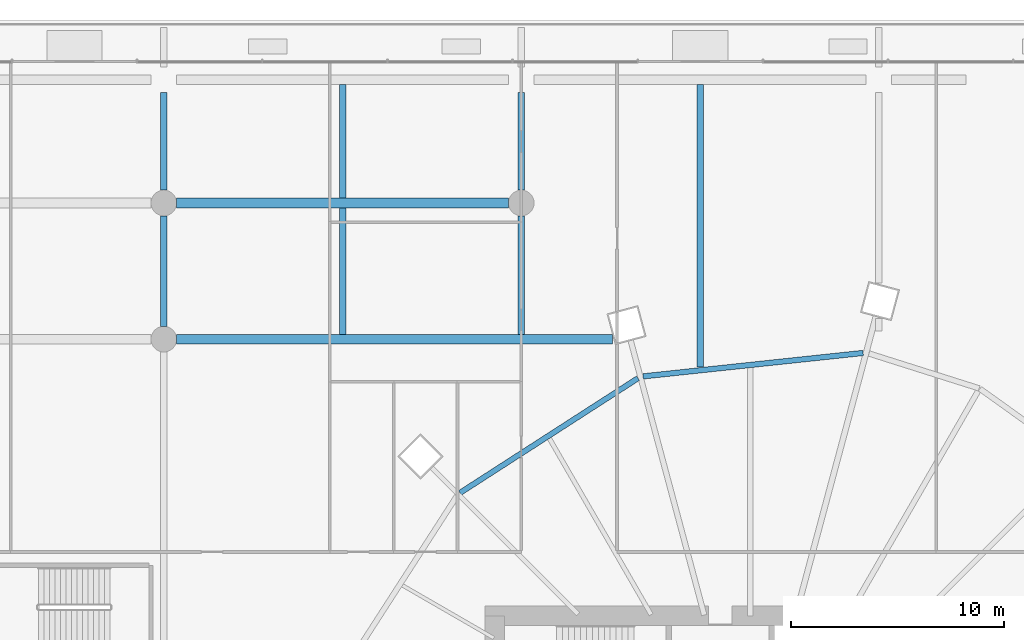
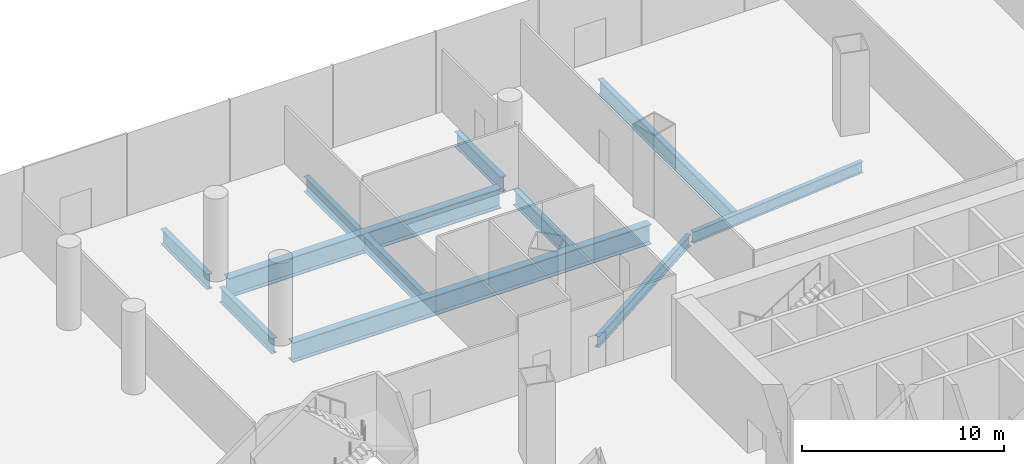
# One storey, part 26 of 51: 11 beams.
"""IFC4 building model written with IfcOpenShell, lengths in metres."""

from ifc_helpers import new_model, si_unit, direction, frame, origin, origin_2d, place, context, subcontext, project, spatial, i_section, extrude, material, material_profile, profile_set, type_object, element, save


model = new_model("IFC4")

# Units and contexts
model_context = context("Model", 3, precision=1e-05, world=origin(), true_north=direction((0.0, 1.0)))
body_context = subcontext(model_context, "Body", "Model", "MODEL_VIEW")
ifc_project = project(units=[si_unit("LENGTHUNIT", "METRE"), si_unit("AREAUNIT", "SQUARE_METRE"), si_unit("VOLUMEUNIT", "CUBIC_METRE"), si_unit("PLANEANGLEUNIT", "RADIAN"), si_unit("MASSUNIT", "GRAM", prefix="KILO")], contexts=[model_context])

# Site, building, storey
site_placement = place(None, origin())
site = spatial("IfcSite", under=ifc_project, at=site_placement, CompositionType="ELEMENT")
building_placement = place(site_placement, origin())
building = spatial("IfcBuilding", under=site, at=building_placement, Name="Rimbun Link Towers", CompositionType="ELEMENT")
storey_placement = place(building_placement, frame((0.0, 0.0, 7.0)))
storey = spatial("IfcBuildingStorey", under=building, at=storey_placement, Name="L01", CompositionType="ELEMENT", Elevation=7.0)

# Beams
ifc_material_1 = material(Name="Steel S355J2", Category="steel")
ifc_material_profile_1 = material_profile(ifc_material_1, i_section(OverallWidth=0.449951171875, OverallDepth=1.199951171875, WebThickness=0.030029296875, FlangeThickness=0.044921875, at=origin_2d()), Name="PG 1200x450x30/45")
ifc_profile_set_1 = profile_set([ifc_material_profile_1], Name="Steel S355J2")
beam_type_1 = type_object("IfcBeamType", Name="PG 1200x450x30/45", PredefinedType="BEAM", material=ifc_profile_set_1)
beam_1_placement = place(storey_placement, frame((4.800048828125, 21.0, -0.89990234375), z_axis=(1.0, 0.0, 0.0), x_axis=(0.0, 1.0, 0.0)))
element("IfcBeam", 1, at=beam_1_placement, inside=storey, type_object=beam_type_1, Name="Grid beam L01 +21.0", PredefinedType="BEAM", context=body_context, shape_type="SweptSolid", body=[
    extrude(i_section(OverallWidth=0.449951171875, OverallDepth=1.199951171875, WebThickness=0.030029296875, FlangeThickness=0.044921875, at=origin_2d()), origin(), (0.0, 0.0, 1.0), 20.47998046875),
])
beam_2_placement = place(storey_placement, frame((4.800048828125, 27.39990234375, -0.89990234375), z_axis=(1.0, 0.0, 0.0), x_axis=(0.0, 1.0, 0.0)))
element("IfcBeam", 2, at=beam_2_placement, inside=storey, type_object=beam_type_1, Name="Grid beam L01 +27.4", PredefinedType="BEAM", context=body_context, shape_type="SweptSolid", body=[
    extrude(i_section(OverallWidth=0.449951171875, OverallDepth=1.199951171875, WebThickness=0.030029296875, FlangeThickness=0.044921875, at=origin_2d()), origin(), (0.0, 0.0, 1.0), 15.599853515625),
])
ifc_material_2 = material(Name="Steel S355J2", Category="steel")
ifc_material_profile_2 = material_profile(ifc_material_2, i_section(OverallWidth=0.253662109375, OverallDepth=0.68359375, WebThickness=0.012451171875, FlangeThickness=0.01904296875, at=origin_2d()), Name="UB 686x254x140")
ifc_profile_set_2 = profile_set([ifc_material_profile_2], Name="Steel S355J2")
beam_type_2 = type_object("IfcBeamType", Name="UB 686x254x140", PredefinedType="BEAM", material=ifc_profile_set_2)
beam_3_placement = place(storey_placement, frame((37.064697265625, 20.353271484375, -0.641845703125), z_axis=(-0.994376453373, -0.105903111275, 0.0), x_axis=(0.105903111275, -0.994376453373, 0.0)))
element("IfcBeam", 3, at=beam_3_placement, inside=storey, type_object=beam_type_2, Name="Edge beam T2 L01 02-04", PredefinedType="BEAM", context=body_context, shape_type="SweptSolid", body=[
    extrude(i_section(OverallWidth=0.253662109375, OverallDepth=0.68359375, WebThickness=0.012451171875, FlangeThickness=0.01904296875, at=origin_2d()), origin(), (0.0, 0.0, 1.0), 10.3994140625),
])
beam_4_placement = place(storey_placement, frame((26.482421875, 19.16552734375, -0.641845703125), z_axis=(-0.840626167656, -0.541615773636, 0.0), x_axis=(0.541615773636, -0.840626167656, 0.0)))
element("IfcBeam", 4, at=beam_4_placement, inside=storey, type_object=beam_type_2, Name="Edge beam T2 L01 04-06", PredefinedType="BEAM", context=body_context, shape_type="SweptSolid", body=[
    extrude(i_section(OverallWidth=0.253662109375, OverallDepth=0.68359375, WebThickness=0.012451171875, FlangeThickness=0.01904296875, at=origin_2d()), origin(), (0.0, 0.0, 1.0), 9.946533203125),
])
ifc_material_3 = material(Name="Steel S355J2", Category="steel")
ifc_material_profile_3 = material_profile(ifc_material_3, i_section(OverallWidth=0.305419921875, OverallDepth=0.91845703125, WebThickness=0.017333984375, FlangeThickness=0.02783203125, at=origin_2d()), Name="UB 914x305x253")
ifc_profile_set_3 = profile_set([ifc_material_profile_3], Name="Steel S355J2")
beam_type_3 = type_object("IfcBeamType", Name="UB 914x305x253", PredefinedType="BEAM", material=ifc_profile_set_3)
beam_5_placement = place(storey_placement, frame((4.199951171875, 21.60009765625, -0.75927734375), z_axis=(0.0, 1.0, 0.0), x_axis=(-1.0, 0.0, 0.0)))
element("IfcBeam", 5, at=beam_5_placement, inside=storey, type_object=beam_type_3, Name="Grid beam L01 +4.2", PredefinedType="BEAM", context=body_context, shape_type="SweptSolid", body=[
    extrude(i_section(OverallWidth=0.305419921875, OverallDepth=0.91845703125, WebThickness=0.017333984375, FlangeThickness=0.02783203125, at=origin_2d()), origin(), (0.0, 0.0, 1.0), 5.199951171875),
])
beam_6_placement = place(storey_placement, frame((4.199951171875, 28.0, -0.75927734375), z_axis=(0.0, 1.0, 0.0), x_axis=(-1.0, 0.0, 0.0)))
element("IfcBeam", 6, at=beam_6_placement, inside=storey, type_object=beam_type_3, Name="Grid beam L01 +4.2", PredefinedType="BEAM", context=body_context, shape_type="SweptSolid", body=[
    extrude(i_section(OverallWidth=0.305419921875, OverallDepth=0.91845703125, WebThickness=0.017333984375, FlangeThickness=0.02783203125, at=origin_2d()), origin(), (0.0, 0.0, 1.0), 4.60009765625),
])
beam_7_placement = place(storey_placement, frame((12.60009765625, 21.22509765625, -0.75927734375), z_axis=(0.0, 1.0, 0.0), x_axis=(-1.0, 0.0, 0.0)))
element("IfcBeam", 7, at=beam_7_placement, inside=storey, type_object=beam_type_3, Name="Grid beam L01 +12.6", PredefinedType="BEAM", context=body_context, shape_type="SweptSolid", body=[
    extrude(i_section(OverallWidth=0.305419921875, OverallDepth=0.91845703125, WebThickness=0.017333984375, FlangeThickness=0.02783203125, at=origin_2d()), origin(), (0.0, 0.0, 1.0), 5.949951171875),
])
beam_8_placement = place(storey_placement, frame((12.60009765625, 27.625, -0.75927734375), z_axis=(0.0, 1.0, 0.0), x_axis=(-1.0, 0.0, 0.0)))
element("IfcBeam", 8, at=beam_8_placement, inside=storey, type_object=beam_type_3, Name="Grid beam L01 +12.6", PredefinedType="BEAM", context=body_context, shape_type="SweptSolid", body=[
    extrude(i_section(OverallWidth=0.305419921875, OverallDepth=0.91845703125, WebThickness=0.017333984375, FlangeThickness=0.02783203125, at=origin_2d()), origin(), (0.0, 0.0, 1.0), 5.35009765625),
])
beam_9_placement = place(storey_placement, frame((21.0, 21.22509765625, -0.75927734375), z_axis=(0.0, 1.0, 0.0), x_axis=(-1.0, 0.0, 0.0)))
element("IfcBeam", 9, at=beam_9_placement, inside=storey, type_object=beam_type_3, Name="Grid beam L01 +21.0", PredefinedType="BEAM", context=body_context, shape_type="SweptSolid", body=[
    extrude(i_section(OverallWidth=0.305419921875, OverallDepth=0.91845703125, WebThickness=0.017333984375, FlangeThickness=0.02783203125, at=origin_2d()), origin(), (0.0, 0.0, 1.0), 5.574951171875),
])
beam_10_placement = place(storey_placement, frame((21.0, 28.0, -0.75927734375), z_axis=(0.0, 1.0, 0.0), x_axis=(-1.0, 0.0, 0.0)))
element("IfcBeam", 10, at=beam_10_placement, inside=storey, type_object=beam_type_3, Name="Grid beam L01 +21.0", PredefinedType="BEAM", context=body_context, shape_type="SweptSolid", body=[
    extrude(i_section(OverallWidth=0.305419921875, OverallDepth=0.91845703125, WebThickness=0.017333984375, FlangeThickness=0.02783203125, at=origin_2d()), origin(), (0.0, 0.0, 1.0), 4.60009765625),
])
beam_11_placement = place(storey_placement, frame((29.39990234375, 19.681884765625, -0.75927734375), z_axis=(0.0, 1.0, 0.0), x_axis=(-1.0, 0.0, 0.0)))
element("IfcBeam", 11, at=beam_11_placement, inside=storey, type_object=beam_type_3, Name="Grid beam L01 +29.4", PredefinedType="BEAM", context=body_context, shape_type="SweptSolid", body=[
    extrude(i_section(OverallWidth=0.305419921875, OverallDepth=0.91845703125, WebThickness=0.017333984375, FlangeThickness=0.02783203125, at=origin_2d()), origin(), (0.0, 0.0, 1.0), 13.293212890625),
])

save(model, "model.ifc")
